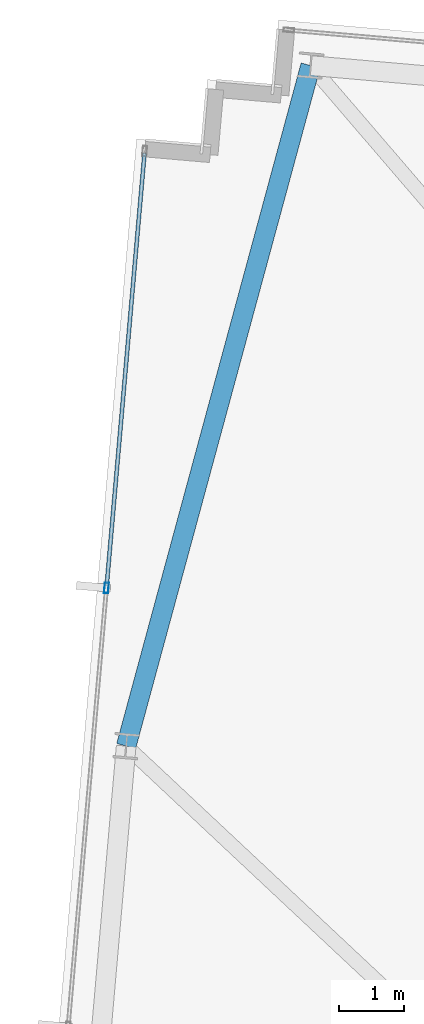
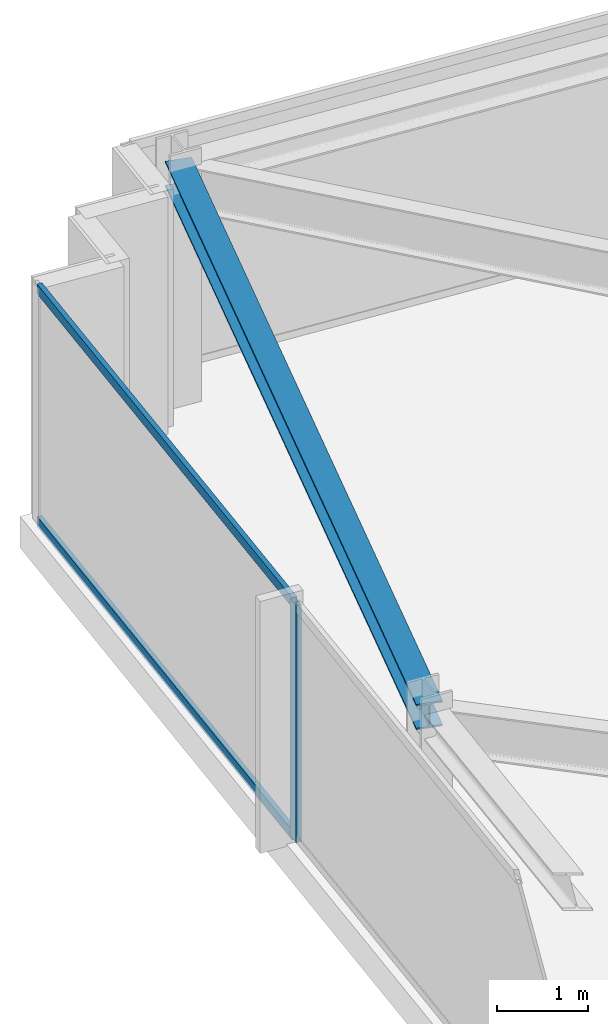
# One storey, part 11 of 32: 3 members, 1 beam, 1 element without a shape of its own.
"""IFC4 building model written with IfcOpenShell, lengths in metres."""

from ifc_helpers import new_model, si_unit, direction, frame, origin, origin_2d, place, context, subcontext, project, spatial, hollow_rectangle, i_section, extrude, material, material_profile, profile_set, type_object, element, aggregate, save


model = new_model("IFC4")

# Units and contexts
model_context = context("Model", 3, precision=1e-05, world=origin(), true_north=direction((0.0, 1.0)))
body_context = subcontext(model_context, "Body", "Model", "MODEL_VIEW")
ifc_project = project(units=[si_unit("LENGTHUNIT", "METRE"), si_unit("AREAUNIT", "SQUARE_METRE"), si_unit("VOLUMEUNIT", "CUBIC_METRE"), si_unit("PLANEANGLEUNIT", "RADIAN"), si_unit("MASSUNIT", "GRAM", prefix="KILO")], contexts=[model_context])

# Site, building, storey
site_placement = place(None, origin())
site = spatial("IfcSite", under=ifc_project, at=site_placement, CompositionType="ELEMENT")
building_placement = place(site_placement, origin())
building = spatial("IfcBuilding", under=site, at=building_placement, Name="Yelkora Congress Tower", CompositionType="ELEMENT")
storey_placement = place(building_placement, frame((0.0, 0.0, 259.10009765625)))
storey = spatial("IfcBuildingStorey", under=building, at=storey_placement, Name="L72", CompositionType="ELEMENT", Elevation=259.10009765625)

# Beam
ifc_material_1 = material(Name="Steel S355J2", Category="steel")
ifc_material_profile_1 = material_profile(ifc_material_1, i_section(OverallWidth=0.300048828125, OverallDepth=0.340087890625, WebThickness=0.011962890625, FlangeThickness=0.021484375, FilletRadius=0.027099609375, at=origin_2d()), Name="HEB 340")
ifc_profile_set_1 = profile_set([ifc_material_profile_1], Name="Steel S355J2")
beam_type = type_object("IfcBeamType", Name="BM-SPAN-HEB340", PredefinedType="SPANDREL", material=ifc_profile_set_1)
beam_placement = place(storey_placement, frame((10.60400390625, 49.884033203125, 3.010009765625), z_axis=(-0.261553643334, -0.965188940912, 0.0), x_axis=(0.965188940912, -0.261553643334, 0.0)))
element("IfcBeam", 1, at=beam_placement, inside=storey, type_object=beam_type, Name="L72 Perimeter Beam 13", PredefinedType="SPANDREL", context=body_context, shape_type="SweptSolid", body=[
    extrude(i_section(OverallWidth=0.300048828125, OverallDepth=0.340087890625, WebThickness=0.011962890625, FlangeThickness=0.021484375, FilletRadius=0.027099609375, at=origin_2d()), origin(), (0.0, 0.0, 1.0), 10.768798828125),
])

# Curtain wall, members
ifc_material_2 = material(Name="Anodised aluminium and insulated glass", Category="aluminium")
curtain_wall_type = type_object("IfcCurtainWallType", Name="CW-SYS-B5", PredefinedType="NOTDEFINED", material=ifc_material_2)
curtain_wall_placement = place(storey_placement, origin())
curtain_wall = element("IfcCurtainWall", 2, at=curtain_wall_placement, inside=storey, type_object=curtain_wall_type, Name="L72 Unitised Curtain Wall 5", PredefinedType="NOTDEFINED")
ifc_material_3 = material(Name="Anodised aluminium 6063-T6", Category="aluminium")
ifc_material_profile_2 = material_profile(ifc_material_3, hollow_rectangle(XDim=0.06494140625, YDim=0.159912109375, WallThickness=0.00390625, at=origin_2d()), Name="ALU 65x160x4")
ifc_profile_set_2 = profile_set([ifc_material_profile_2], Name="Anodised aluminium 6063-T6")
member_type_1 = type_object("IfcMemberType", Name="MEM-ML-B5", PredefinedType="MULLION", material=ifc_profile_set_2)
member_1_placement = place(storey_placement, frame((7.48681640625, 41.9052734375, 0.0), z_axis=(0.0, 0.0, 1.0), x_axis=(-0.996194785929, 0.08715473876, 0.0)))
member_1 = element("IfcMember", 3, at=member_1_placement, type_object=member_type_1, Name="CW-B5 mullion 4", PredefinedType="MULLION", context=body_context, shape_type="SweptSolid", body=[
    extrude(hollow_rectangle(XDim=0.06494140625, YDim=0.159912109375, WallThickness=0.00390625, at=origin_2d()), origin(), (0.0, 0.0, 1.0), 3.179931640625),
])
ifc_material_profile_3 = material_profile(ifc_material_3, hollow_rectangle(XDim=0.06005859375, YDim=0.1298828125, WallThickness=0.00390625, at=origin_2d()), Name="ALU 60x130x4")
ifc_profile_set_3 = profile_set([ifc_material_profile_3], Name="Anodised aluminium 6063-T6")
member_type_2 = type_object("IfcMemberType", Name="MEM-TR-B5", PredefinedType="USERDEFINED", material=ifc_profile_set_3)
member_2_placement = place(storey_placement, frame((7.489501953125, 41.937744140625, 0.02978515625), z_axis=(0.08716649365, 0.996193757451, 0.0), x_axis=(-0.996193757451, 0.08716649365, 0.0)))
member_2 = element("IfcMember", 4, at=member_2_placement, type_object=member_type_2, Name="CW-B5 transom 4.1", ObjectType="TRANSOM", PredefinedType="USERDEFINED", context=body_context, shape_type="SweptSolid", body=[
    extrude(hollow_rectangle(XDim=0.06005859375, YDim=0.1298828125, WallThickness=0.00390625, at=origin_2d()), origin(), (0.0, 0.0, 1.0), 6.63232421875),
])
member_3_placement = place(storey_placement, frame((7.489501953125, 41.937744140625, 3.14990234375), z_axis=(0.08716649365, 0.996193757451, 0.0), x_axis=(-0.996193757451, 0.08716649365, 0.0)))
member_3 = element("IfcMember", 5, at=member_3_placement, type_object=member_type_2, Name="CW-B5 transom 4.2", ObjectType="TRANSOM", PredefinedType="USERDEFINED", context=body_context, shape_type="SweptSolid", body=[
    extrude(hollow_rectangle(XDim=0.06005859375, YDim=0.1298828125, WallThickness=0.00390625, at=origin_2d()), origin(), (0.0, 0.0, 1.0), 6.63232421875),
])
aggregate(curtain_wall, [member_1, member_2, member_3])

save(model, "model.ifc")
